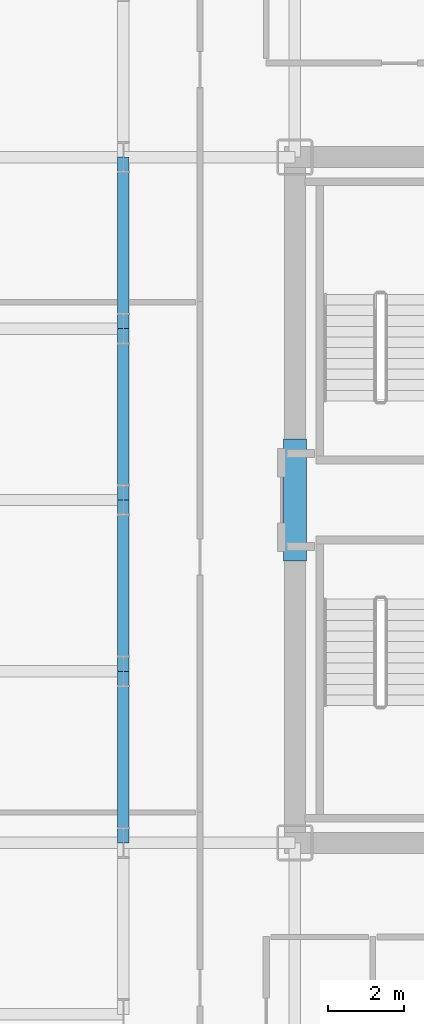
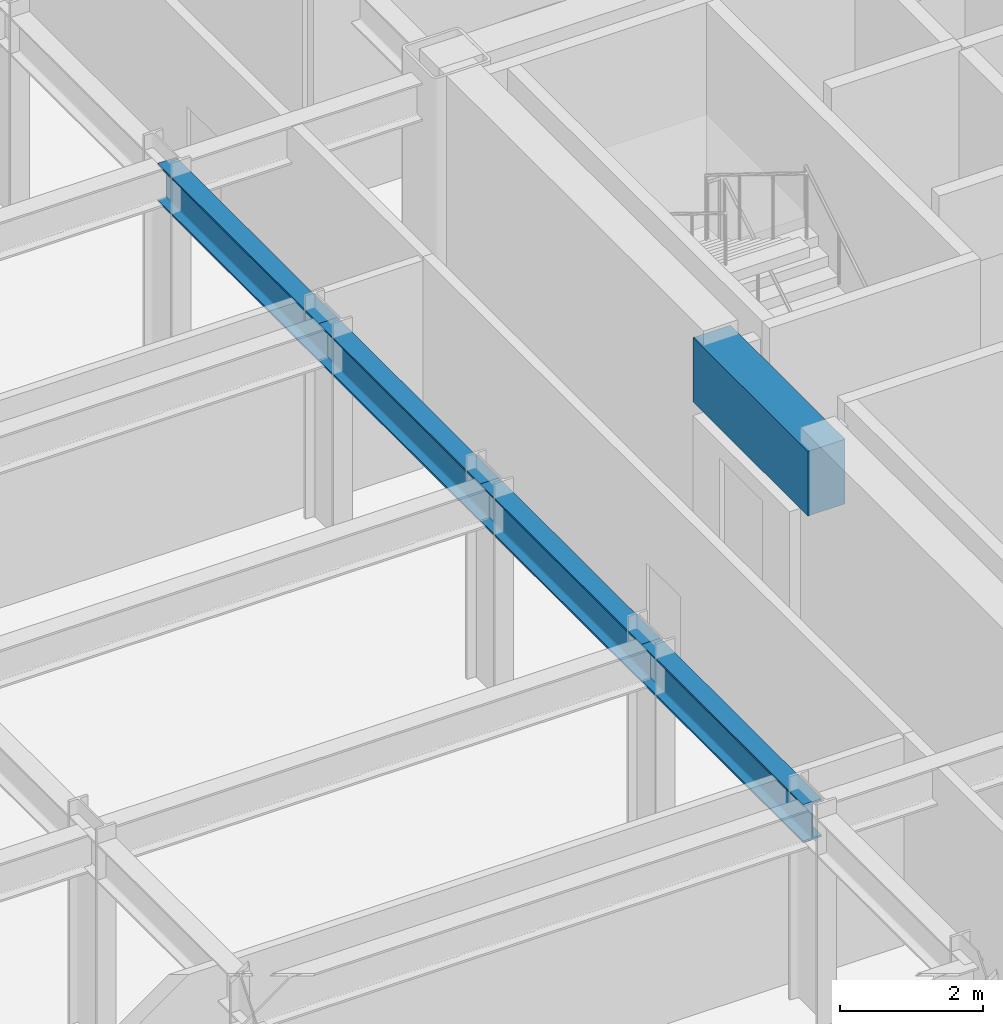
# One storey, part 8 of 27: 5 beams.
"""IFC4 building model written with IfcOpenShell, lengths in metres."""

import ifcopenshell
import ifcopenshell.guid

model = None  # the IFC model being written
_history = None  # IfcOwnerHistory: only IFC2X3 demands one
_inside = {}  # id of a spatial element -> (the spatial element, [elements in it])
_under = {}  # id of a project, library or spatial element -> (it, [spatial elements below it])
_declared = {}  # id of a project -> (the project, [libraries it declares])
_typed = {}  # id of a type object -> (the type object, [elements of that type])
_made_of = {}  # id of a material, layer set ... -> (it, [elements and type objects made of it])


def new_model(schema):
    """Start an empty IFC model of exactly this schema.

    Asked for "IFC4X3", IfcOpenShell would pick the latest addendum, in which some entities
    have other attributes; the version numbers below select the first issue.
    IFC2X3 requires an IfcOwnerHistory on every rooted entity: one is made here for all.
    """
    global model, _history
    if schema == "IFC4X3":
        model = ifcopenshell.file(schema_version=(4, 3, 0, 0))
    else:
        model = ifcopenshell.file(schema=schema)
    _inside.clear()
    _under.clear()
    _declared.clear()
    _typed.clear()
    _made_of.clear()
    _history = None
    if model.schema == "IFC2X3":
        org = make("IfcOrganization", Name="unknown")
        user = make(
            "IfcPersonAndOrganization",
            ThePerson=make("IfcPerson", FamilyName="unknown"),
            TheOrganization=org,
        )
        app = make(
            "IfcApplication",
            ApplicationDeveloper=org,
            Version="unknown",
            ApplicationFullName="unknown",
            ApplicationIdentifier="unknown",
        )
        _history = make(
            "IfcOwnerHistory",
            OwningUser=user,
            OwningApplication=app,
            ChangeAction="ADDED",
            CreationDate=0,
        )
    return model


def make(cls, **values):
    """One entity of the class cls with the attributes given. An attribute that is None is left unset."""
    return model.create_entity(
        cls, **{name: value for name, value in values.items() if value is not None}
    )


def rooted(cls, **values):
    """An entity with a GlobalId (a new one), such as an element, a storey or a relation."""
    return make(cls, GlobalId=ifcopenshell.guid.new(), OwnerHistory=_history, **values)


def si_unit(unit_type, name, prefix=None):
    """IfcSIUnit, for example si_unit("LENGTHUNIT", "METRE", prefix="MILLI")."""
    return make("IfcSIUnit", UnitType=unit_type, Prefix=prefix, Name=name)


def assignment(units):
    """IfcUnitAssignment: the units of a project."""
    return None if units is None else make("IfcUnitAssignment", Units=units)


def point(xyz):
    """IfcCartesianPoint."""
    return None if xyz is None else make("IfcCartesianPoint", Coordinates=xyz)


def direction(xyz):
    """IfcDirection."""
    return None if xyz is None else make("IfcDirection", DirectionRatios=xyz)


def frame(location, z_axis=None, x_axis=None):
    """IfcAxis2Placement3D, a coordinate frame: its origin and axes. An axis left out is left unset."""
    return make(
        "IfcAxis2Placement3D",
        Location=point(location),
        Axis=direction(z_axis),
        RefDirection=direction(x_axis),
    )


def frame_2d(location, x_axis=None):
    """IfcAxis2Placement2D, a coordinate frame in the plane: its origin and x axis."""
    return make(
        "IfcAxis2Placement2D", Location=point(location), RefDirection=direction(x_axis)
    )


def origin():
    """The frame at (0, 0, 0) with its axes left unset."""
    return frame((0.0, 0.0, 0.0))


def origin_2d():
    """The frame at (0, 0) in the plane with its x axis left unset."""
    return frame_2d((0.0, 0.0))


def place(relative_to, where):
    """IfcLocalPlacement: puts the frame where relative to a parent placement (None: the world)."""
    return make(
        "IfcLocalPlacement", PlacementRelTo=relative_to, RelativePlacement=where
    )


def context(
    kind, dimensions, precision=None, world=None, true_north=None, identifier=None
):
    """IfcGeometricRepresentationContext, for example the 3D "Model" context."""
    return make(
        "IfcGeometricRepresentationContext",
        ContextIdentifier=identifier,
        ContextType=kind,
        CoordinateSpaceDimension=dimensions,
        Precision=precision,
        WorldCoordinateSystem=world,
        TrueNorth=true_north,
    )


def subcontext(parent, identifier, kind, view, scale=None):
    """IfcGeometricRepresentationSubContext, for example "Body" below "Model"."""
    return make(
        "IfcGeometricRepresentationSubContext",
        ContextIdentifier=identifier,
        ContextType=kind,
        ParentContext=parent,
        TargetScale=scale,
        TargetView=view,
    )


def project(units=None, contexts=None):
    """IfcProject with its units and contexts."""
    return rooted(
        "IfcProject",
        Name="project",
        RepresentationContexts=contexts,
        UnitsInContext=assignment(units),
    )


def spatial(cls, under=None, at=None, **own):
    """A site, building, storey or space (cls), placed at a placement, below another one or the project."""
    s = rooted(cls, ObjectPlacement=at, **own)
    if under is not None:
        _under.setdefault(under.id(), (under, []))[1].append(s)
    return s


def profile(cls, at=None, kind="AREA", **sizes):
    """A parametric profile (cls). Its sizes go by their IFC names, for example OverallWidth=200.0."""
    return make(cls, ProfileType=kind, Position=at, **sizes)


def rectangle(**sizes):
    """IfcRectangleProfileDef."""
    return profile("IfcRectangleProfileDef", **sizes)


def i_section(**sizes):
    """IfcIShapeProfileDef."""
    return profile("IfcIShapeProfileDef", **sizes)


def extrude(swept, where, along, depth):
    """IfcExtrudedAreaSolid: the profile swept, set in the frame where, extruded along a direction by depth."""
    return make(
        "IfcExtrudedAreaSolid",
        SweptArea=swept,
        Position=where,
        ExtrudedDirection=direction(along),
        Depth=depth,
    )


def shape(context_of_items, identifier, shape_type, items):
    """IfcShapeRepresentation: the items that make up one representation, for example the "Body"."""
    return make(
        "IfcShapeRepresentation",
        ContextOfItems=context_of_items,
        RepresentationIdentifier=identifier,
        RepresentationType=shape_type,
        Items=items,
    )


def source(mapping_origin, context_of_items, identifier, shape_type, items):
    """IfcRepresentationMap: a shape defined once, which mapped items show again and again."""
    return make(
        "IfcRepresentationMap",
        MappingOrigin=mapping_origin,
        MappedRepresentation=shape(context_of_items, identifier, shape_type, items),
    )


def transform(
    local_origin,
    x_axis=None,
    y_axis=None,
    z_axis=None,
    scale=None,
    scale2=None,
    scale3=None,
    uniform=True,
):
    """IfcCartesianTransformationOperator3D, or its non-uniform kind. x_axis, y_axis, z_axis: its Axis1, 2, 3."""
    if uniform:
        return make(
            "IfcCartesianTransformationOperator3D",
            Axis1=direction(x_axis),
            Axis2=direction(y_axis),
            LocalOrigin=point(local_origin),
            Scale=scale,
            Axis3=direction(z_axis),
        )
    return make(
        "IfcCartesianTransformationOperator3DnonUniform",
        Axis1=direction(x_axis),
        Axis2=direction(y_axis),
        LocalOrigin=point(local_origin),
        Scale=scale,
        Axis3=direction(z_axis),
        Scale2=scale2,
        Scale3=scale3,
    )


def mapped(mapping_source, mapping_target):
    """IfcMappedItem: shows the shape of a source again, moved by a transform."""
    return make(
        "IfcMappedItem", MappingSource=mapping_source, MappingTarget=mapping_target
    )


def material(Name=None, Category=None):
    """IfcMaterial."""
    return make("IfcMaterial", Name=Name, Category=Category)


def material_profile(
    of_material, cross_section, Name=None, Category=None, Priority=None
):
    """IfcMaterialProfile: a cross section and its material."""
    return make(
        "IfcMaterialProfile",
        Name=Name,
        Material=of_material,
        Profile=cross_section,
        Priority=Priority,
        Category=Category,
    )


def profile_set(profiles, Name=None, composite=None):
    """IfcMaterialProfileSet."""
    return make(
        "IfcMaterialProfileSet",
        Name=Name,
        MaterialProfiles=profiles,
        CompositeProfile=composite,
    )


def made_of(thing, what):
    """Note that an element or type object is made of a material, layer set ...; save() writes the relation."""
    if what is not None:
        _made_of.setdefault(what.id(), (what, []))[1].append(thing)
    return thing


def type_object(cls, material=None, **own):
    """A type object (cls), such as IfcWallType, which elements share."""
    return made_of(rooted(cls, **own), material)


def element(
    cls,
    number,
    at=None,
    inside=None,
    cuts=None,
    type_object=None,
    material=None,
    context=None,
    identifier="Body",
    shape_type=None,
    held_by="IfcProductDefinitionShape",
    body=None,
    shapes=None,
    **own,
):
    """One element of the class cls, such as IfcWall. Its Tag is "e" and its number.

    at: its placement. inside: the storey or other place that contains it. cuts: it is an
    opening in that element (IfcRelVoidsElement). A single representation is given by context,
    identifier, shape_type and body (its items); several are given by shapes. held_by: the class
    of the entity that holds the representations. save() writes the other relations.
    """
    e = rooted(cls, Tag="e%d" % number, ObjectPlacement=at, **own)
    if body is not None:
        shapes = [shape(context, identifier, shape_type, body)]
    if shapes is not None:
        e.Representation = make(held_by, Representations=shapes)
    if inside is not None:
        _inside.setdefault(inside.id(), (inside, []))[1].append(e)
    if cuts is not None:
        rooted(
            "IfcRelVoidsElement", RelatingBuildingElement=cuts, RelatedOpeningElement=e
        )
    if type_object is not None:
        _typed.setdefault(type_object.id(), (type_object, []))[1].append(e)
    return made_of(e, material)


def aggregate(whole, parts):
    """IfcRelAggregates: a whole, such as a stair, and the parts it consists of."""
    return rooted("IfcRelAggregates", RelatingObject=whole, RelatedObjects=parts)


def save(model, path):
    """Write the relations noted so far, then the file.

    IfcRelAggregates (storeys below a building ...), IfcRelContainedInSpatialStructure (elements
    in a storey), IfcRelDefinesByType, IfcRelAssociatesMaterial and IfcRelDeclares: one each for
    every whole, place, type object, material and project.
    """
    for whole, parts in _under.values():
        aggregate(whole, parts)
    for where, things in _inside.values():
        rooted(
            "IfcRelContainedInSpatialStructure",
            RelatedElements=things,
            RelatingStructure=where,
        )
    for kind, things in _typed.values():
        rooted("IfcRelDefinesByType", RelatedObjects=things, RelatingType=kind)
    for what, things in _made_of.values():
        rooted("IfcRelAssociatesMaterial", RelatedObjects=things, RelatingMaterial=what)
    for by, libraries in _declared.values():
        rooted("IfcRelDeclares", RelatingContext=by, RelatedDefinitions=libraries)
    model.write(path)


model = new_model("IFC4")

# Units and contexts
model_context = context("Model", 3, precision=1e-05, world=origin(), true_north=direction((0.0, 1.0)))
body_context = subcontext(model_context, "Body", "Model", "MODEL_VIEW")
ifc_project = project(units=[si_unit("LENGTHUNIT", "METRE"), si_unit("AREAUNIT", "SQUARE_METRE"), si_unit("VOLUMEUNIT", "CUBIC_METRE"), si_unit("PLANEANGLEUNIT", "RADIAN"), si_unit("MASSUNIT", "GRAM", prefix="KILO")], contexts=[model_context])

# Site, building, storey
site_placement = place(None, origin())
site = spatial("IfcSite", under=ifc_project, at=site_placement, CompositionType="ELEMENT")
building_placement = place(site_placement, origin())
building = spatial("IfcBuilding", under=site, at=building_placement, Name="Nefas-Gora Pilgrimage Tower", CompositionType="ELEMENT")
storey_placement = place(building_placement, frame((0.0, 0.0, 148.800048828125)))
storey = spatial("IfcBuildingStorey", under=building, at=storey_placement, Name="L36", CompositionType="ELEMENT", Elevation=148.800048828125)

# Beams
ifc_material_1 = material(Name="Concrete C60/75", Category="concrete")
ifc_material_profile_1 = material_profile(ifc_material_1, rectangle(XDim=0.60009765625, YDim=1.10009765625, at=origin_2d()), Name="RC 600x1100")
ifc_profile_set_1 = profile_set([ifc_material_profile_1], Name="Concrete C60/75")
beam_type_1 = type_object("IfcBeamType", Name="BM-LIN-RC1100", PredefinedType="LINTEL", material=ifc_profile_set_1)
shared_shape_1 = source(origin(), body_context, "Body", "SweptSolid", [
    extrude(rectangle(XDim=0.60009765625, YDim=1.10009765625, at=origin_2d()), origin(), (0.0, 0.0, 1.0), 3.2001953125),
])
beam_placement = place(storey_placement, frame((-11.25, -1.60009765625, 3.0), z_axis=(0.0, 1.0, 0.0), x_axis=(-1.0, 0.0, 0.0)))
element("IfcBeam", 1, at=beam_placement, inside=storey, type_object=beam_type_1, Name="L36 Core Coupling Lintel Beam W", PredefinedType="LINTEL", context=body_context, shape_type="MappedRepresentation", body=[
    mapped(shared_shape_1, transform((0.0, 0.0, 0.0), x_axis=(1.0, 0.0, 0.0), y_axis=(0.0, 1.0, 0.0), z_axis=(0.0, 0.0, 1.0), scale=1.0)),
])
ifc_material_2 = material(Name="Steel S355", Category="steel")
ifc_material_profile_2 = material_profile(ifc_material_2, i_section(OverallWidth=0.300048828125, OverallDepth=0.64990234375, WebThickness=0.01611328125, FlangeThickness=0.031005859375, FilletRadius=0.027099609375, at=origin_2d()), Name="HEB 650")
ifc_profile_set_2 = profile_set([ifc_material_profile_2], Name="Steel S355")
beam_type_2 = type_object("IfcBeamType", Name="BM-GIR-HEB650", PredefinedType="BEAM", material=ifc_profile_set_2)
shared_shape_2 = source(origin(), body_context, "Body", "SweptSolid", [
    extrude(i_section(OverallWidth=0.300048828125, OverallDepth=0.64990234375, WebThickness=0.01611328125, FlangeThickness=0.031005859375, FilletRadius=0.027099609375, at=origin_2d()), origin(), (0.0, 0.0, 1.0), 4.5),
])
for number, where, z_axis, x_axis, name in (
    (2, (-15.75, -9.0, 3.224853515625), (0.0, 1.0, 0.0), (-1.0, 0.0, 0.0), "L36 G-03 beam"),
    (3, (-15.75, -4.5, 3.224853515625), (0.0, 1.0, 0.0), (-1.0, 0.0, 0.0), "L36 G-03 beam"),
    (4, (-15.75, 0.0, 3.224853515625), (0.0, 1.0, 0.0), (-1.0, 0.0, 0.0), "L36 G-03 beam"),
    (5, (-15.75, 4.5, 3.224853515625), (0.0, 1.0, 0.0), (-1.0, 0.0, 0.0), "L36 G-03 beam"),
):
    element("IfcBeam", number, at=place(storey_placement, frame(where, z_axis=z_axis, x_axis=x_axis)), inside=storey, type_object=beam_type_2, Name=name, PredefinedType="BEAM", context=body_context, shape_type="MappedRepresentation", body=[
        mapped(shared_shape_2, transform((0.0, 0.0, 0.0), x_axis=(1.0, 0.0, 0.0), y_axis=(0.0, 1.0, 0.0), z_axis=(0.0, 0.0, 1.0), scale=1.0)),
    ])

save(model, "model.ifc")
